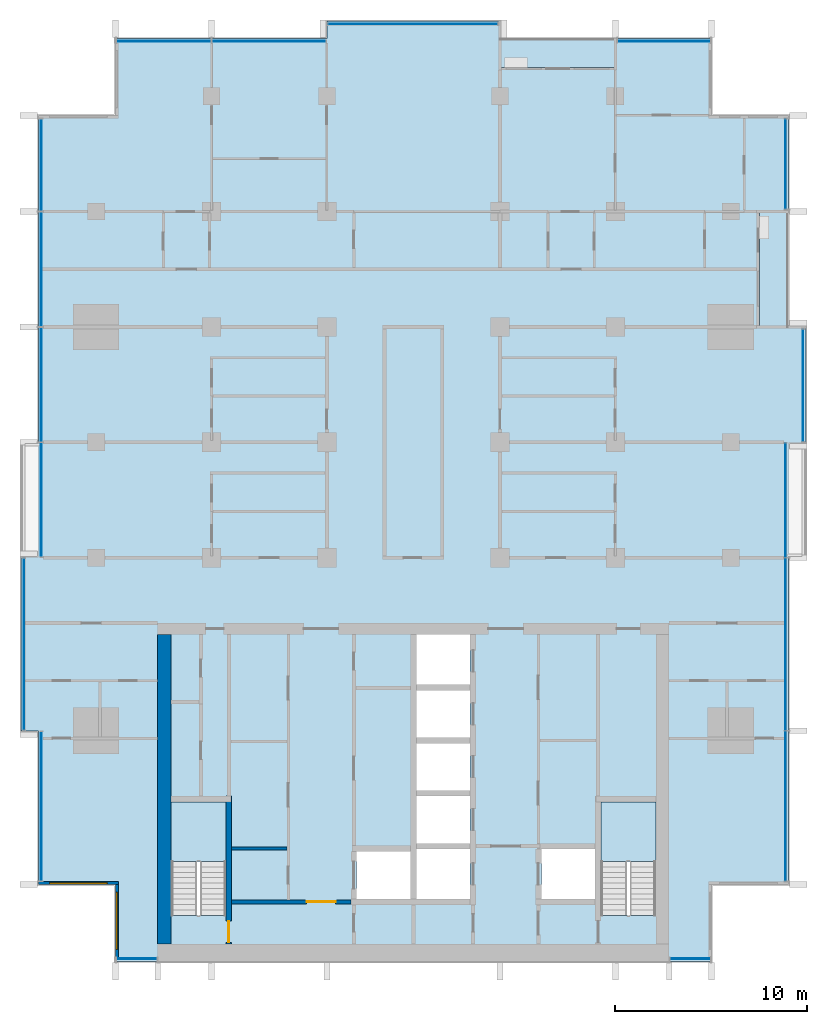
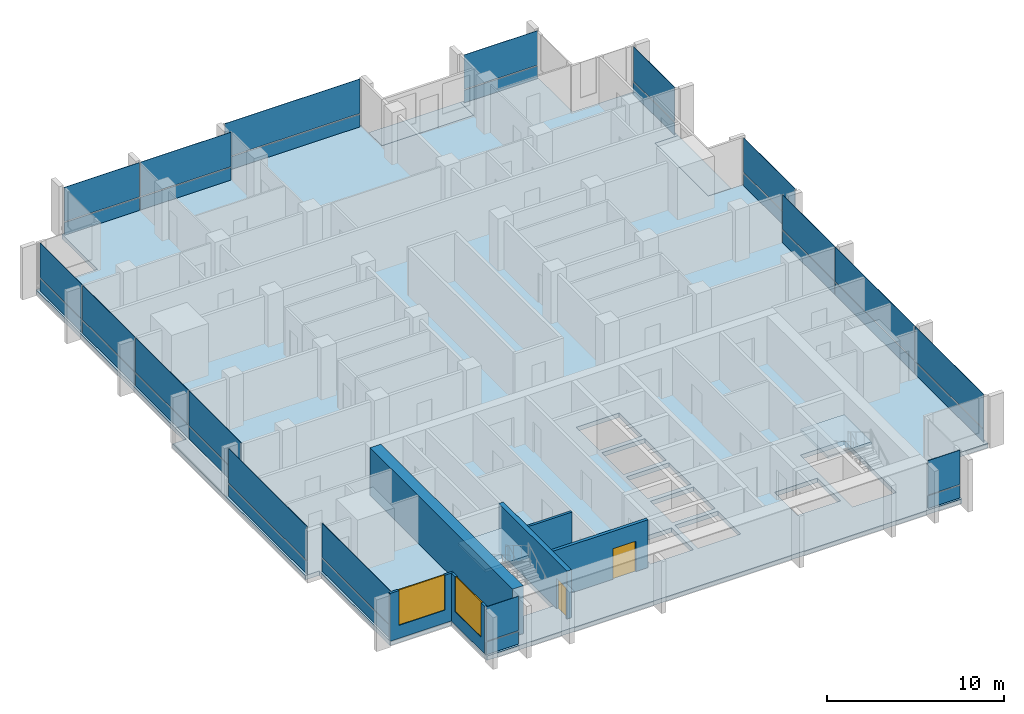
# One storey, part 6 of 16: 34 plates, 6 walls, 5 slabs, 2 doors, 2 windows, 4 openings, 13 elements without a shape of their own.
"""IFC4 building model written with IfcOpenShell, lengths in metres."""

from ifc_helpers import new_model, si_unit, direction, frame, frame_2d, origin, origin_2d, place, context, subcontext, project, spatial, polyline, rectangle, outline, extrude, material, layer, layer_set, type_object, element, fill, aggregate, save


model = new_model("IFC4")

# Units and contexts
model_context = context("Model", 3, precision=1e-05, world=origin(), true_north=direction((0.0, 1.0)))
body_context = subcontext(model_context, "Body", "Model", "MODEL_VIEW")
ifc_project = project(units=[si_unit("LENGTHUNIT", "METRE"), si_unit("AREAUNIT", "SQUARE_METRE"), si_unit("VOLUMEUNIT", "CUBIC_METRE"), si_unit("PLANEANGLEUNIT", "RADIAN"), si_unit("MASSUNIT", "GRAM", prefix="KILO")], contexts=[model_context])

# Site, building, storey
site_placement = place(None, origin())
site = spatial("IfcSite", under=ifc_project, at=site_placement, CompositionType="ELEMENT")
building_placement = place(site_placement, origin())
building = spatial("IfcBuilding", under=site, at=building_placement, Name="Finial Court Residences", CompositionType="ELEMENT")
storey_placement = place(building_placement, frame((0.0, 0.0, 160.10009765625)))
storey = spatial("IfcBuildingStorey", under=building, at=storey_placement, Name="L39", CompositionType="ELEMENT", Elevation=160.10009765625)

# Slabs
ifc_material_1 = material(Name="Concrete C35/45", Category="concrete")
ifc_layer_1 = layer(ifc_material_1, 0.199951171875)
ifc_layer_set_1 = layer_set([ifc_layer_1], Name="Balcony slab, Concrete C35/45 200")
slab_type_1 = type_object("IfcSlabType", Name="Balcony slab, Concrete C35/45 200", PredefinedType="FLOOR", material=ifc_layer_set_1)
slab_1_placement = place(storey_placement, frame((0.0, 0.0, -0.2001953125)))
element("IfcSlab", 1, at=slab_1_placement, inside=storey, type_object=slab_type_1, Name="Balcony L39-N4", PredefinedType="FLOOR", context=body_context, shape_type="SweptSolid", body=[
    extrude(outline(polyline([(10.5, 21.0), (10.5, 22.5), (4.5, 22.5), (4.5, 21.0), (10.5, 21.0)])), origin(), (0.0, 0.0, 1.0), 0.2001953125),
])
slab_2_placement = place(storey_placement, frame((0.0, 0.0, -0.2001953125)))
element("IfcSlab", 2, at=slab_2_placement, inside=storey, type_object=slab_type_1, Name="Balcony L39-E5", PredefinedType="FLOOR", context=body_context, shape_type="SweptSolid", body=[
    extrude(outline(polyline([(19.5, 7.5), (19.5, 13.5), (18.0, 13.5), (18.0, 7.5), (19.5, 7.5)])), origin(), (0.0, 0.0, 1.0), 0.2001953125),
])

# Curtain wall, plates
ifc_material_2 = material(Name="Bronze anodised aluminium", Category="aluminium")
curtain_wall_type = type_object("IfcCurtainWallType", Name="Unitised curtain wall, upper zones", PredefinedType="NOTDEFINED", material=ifc_material_2)
curtain_wall_1_placement = place(storey_placement, origin())
curtain_wall_1 = element("IfcCurtainWall", 3, at=curtain_wall_1_placement, inside=storey, type_object=curtain_wall_type, Name="E-L39-CW-N1", PredefinedType="NOTDEFINED")
ifc_layer_2 = layer(ifc_material_2, 0.035888671875)
ifc_layer_set_2 = layer_set([ifc_layer_2], Name="CW2 spandrel panel 36")
plate_type_1 = type_object("IfcPlateType", Name="CW2 spandrel panel 36", PredefinedType="CURTAIN_PANEL", material=ifc_layer_set_2)
plate_1_placement = place(storey_placement, frame((-12.985107421875, 22.35009765625, -0.000244140625), z_axis=(0.0, 0.0, 1.0), x_axis=(1.0, 0.0, 0.0)))
plate_1 = element("IfcPlate", 4, at=plate_1_placement, type_object=plate_type_1, Name="CW2 spandrel 1.1", PredefinedType="CURTAIN_PANEL", context=body_context, shape_type="SweptSolid", body=[
    extrude(rectangle(XDim=4.909912109375, YDim=0.035888671875, at=origin_2d()), origin(), (0.0, 0.0, 1.0), 0.8701171875),
])
plate_2_placement = place(storey_placement, frame((-7.514892578125, 22.35009765625, -0.000244140625), z_axis=(0.0, 0.0, 1.0), x_axis=(1.0, 0.0, 0.0)))
plate_2 = element("IfcPlate", 5, at=plate_2_placement, type_object=plate_type_1, Name="CW2 spandrel 2.1", PredefinedType="CURTAIN_PANEL", context=body_context, shape_type="SweptSolid", body=[
    extrude(rectangle(XDim=5.909912109375, YDim=0.035888671875, at=origin_2d()), origin(), (0.0, 0.0, 1.0), 0.8701171875),
])

# Curtain wall, plate
curtain_wall_2_placement = place(storey_placement, origin())
curtain_wall_2 = element("IfcCurtainWall", 6, at=curtain_wall_2_placement, inside=storey, type_object=curtain_wall_type, Name="E-L39-CW-N2", PredefinedType="NOTDEFINED")
plate_3_placement = place(storey_placement, frame((-0.03759765625, 23.25, -0.000244140625), z_axis=(0.0, 0.0, 1.0), x_axis=(1.0, 0.0, 0.0)))
plate_3 = element("IfcPlate", 7, at=plate_3_placement, type_object=plate_type_1, Name="CW2 spandrel 1.1", PredefinedType="CURTAIN_PANEL", context=body_context, shape_type="SweptSolid", body=[
    extrude(rectangle(XDim=8.804931640625, YDim=0.035888671875, at=origin_2d()), origin(), (0.0, 0.0, 1.0), 0.8701171875),
])

curtain_wall_3_placement = place(storey_placement, origin())
curtain_wall_3 = element("IfcCurtainWall", 8, at=curtain_wall_3_placement, inside=storey, type_object=curtain_wall_type, Name="E-L39-CW-N3", PredefinedType="NOTDEFINED")
plate_4_placement = place(storey_placement, frame((13.03759765625, 22.35009765625, -0.000244140625), z_axis=(0.0, 0.0, 1.0), x_axis=(1.0, 0.0, 0.0)))
plate_4 = element("IfcPlate", 9, at=plate_4_placement, type_object=plate_type_1, Name="CW2 spandrel 1.1", PredefinedType="CURTAIN_PANEL", context=body_context, shape_type="SweptSolid", body=[
    extrude(rectangle(XDim=4.804931640625, YDim=0.035888671875, at=origin_2d()), origin(), (0.0, 0.0, 1.0), 0.8701171875),
])

# Curtain wall, plates
curtain_wall_4_placement = place(storey_placement, origin())
curtain_wall_4 = element("IfcCurtainWall", 10, at=curtain_wall_4_placement, inside=storey, type_object=curtain_wall_type, Name="E-L39-CW-E4", PredefinedType="NOTDEFINED")
plate_5_placement = place(storey_placement, frame((19.35009765625, -17.409912109375, -0.000244140625), z_axis=(0.0, 0.0, 1.0), x_axis=(0.0, 1.0, 0.0)))
plate_5 = element("IfcPlate", 11, at=plate_5_placement, type_object=plate_type_1, Name="CW2 spandrel 1.1", PredefinedType="CURTAIN_PANEL", context=body_context, shape_type="SweptSolid", body=[
    extrude(rectangle(XDim=7.760009765625, YDim=0.035888671875, at=origin_2d()), origin(), (0.0, 0.0, 1.0), 0.8701171875),
])
plate_6_placement = place(storey_placement, frame((19.35009765625, -9.0, -0.000244140625), z_axis=(0.0, 0.0, 1.0), x_axis=(0.0, 1.0, 0.0)))
plate_6 = element("IfcPlate", 12, at=plate_6_placement, type_object=plate_type_1, Name="CW2 spandrel 2.1", PredefinedType="CURTAIN_PANEL", context=body_context, shape_type="SweptSolid", body=[
    extrude(rectangle(XDim=8.93994140625, YDim=0.035888671875, at=origin_2d()), origin(), (0.0, 0.0, 1.0), 0.8701171875),
])
plate_7_placement = place(storey_placement, frame((19.35009765625, -1.514892578125, -0.000244140625), z_axis=(0.0, 0.0, 1.0), x_axis=(0.0, 1.0, 0.0)))
plate_7 = element("IfcPlate", 13, at=plate_7_placement, type_object=plate_type_1, Name="CW2 spandrel 3.1", PredefinedType="CURTAIN_PANEL", context=body_context, shape_type="SweptSolid", body=[
    extrude(rectangle(XDim=5.909912109375, YDim=0.035888671875, at=origin_2d()), origin(), (0.0, 0.0, 1.0), 0.8701171875),
])

# Curtain wall, plate
curtain_wall_5_placement = place(storey_placement, origin())
curtain_wall_5 = element("IfcCurtainWall", 14, at=curtain_wall_5_placement, inside=storey, type_object=curtain_wall_type, Name="E-L39-CW-E5", PredefinedType="NOTDEFINED")
plate_8_placement = place(storey_placement, frame((20.25, 4.46240234375, -0.000244140625), z_axis=(0.0, 0.0, 1.0), x_axis=(0.0, 1.0, 0.0)))
plate_8 = element("IfcPlate", 15, at=plate_8_placement, type_object=plate_type_1, Name="CW2 spandrel 1.1", PredefinedType="CURTAIN_PANEL", context=body_context, shape_type="SweptSolid", body=[
    extrude(rectangle(XDim=5.804931640625, YDim=0.035888671875, at=origin_2d()), origin(), (0.0, 0.0, 1.0), 0.8701171875),
])

curtain_wall_6_placement = place(storey_placement, origin())
curtain_wall_6 = element("IfcCurtainWall", 16, at=curtain_wall_6_placement, inside=storey, type_object=curtain_wall_type, Name="E-L39-CW-E6", PredefinedType="NOTDEFINED")
plate_9_placement = place(storey_placement, frame((19.35009765625, 15.96240234375, -0.000244140625), z_axis=(0.0, 0.0, 1.0), x_axis=(0.0, 1.0, 0.0)))
plate_9 = element("IfcPlate", 17, at=plate_9_placement, type_object=plate_type_1, Name="CW2 spandrel 1.1", PredefinedType="CURTAIN_PANEL", context=body_context, shape_type="SweptSolid", body=[
    extrude(rectangle(XDim=4.655029296875, YDim=0.035888671875, at=origin_2d()), origin(), (0.0, 0.0, 1.0), 0.8701171875),
])

curtain_wall_7_placement = place(storey_placement, origin())
curtain_wall_7 = element("IfcCurtainWall", 18, at=curtain_wall_7_placement, inside=storey, type_object=curtain_wall_type, Name="E-L39-CW-S7", PredefinedType="NOTDEFINED")
plate_10_placement = place(storey_placement, frame((-14.39990234375, -25.35009765625, -0.000244140625), z_axis=(0.0, 0.0, 1.0), x_axis=(1.0, 0.0, 0.0)))
plate_10 = element("IfcPlate", 19, at=plate_10_placement, type_object=plate_type_1, Name="CW2 spandrel 1.1", PredefinedType="CURTAIN_PANEL", context=body_context, shape_type="SweptSolid", body=[
    extrude(rectangle(XDim=2.080078125, YDim=0.035888671875, at=origin_2d()), origin(), (0.0, 0.0, 1.0), 0.8701171875),
])

curtain_wall_8_placement = place(storey_placement, origin())
curtain_wall_8 = element("IfcCurtainWall", 20, at=curtain_wall_8_placement, inside=storey, type_object=curtain_wall_type, Name="E-L39-CW-S8", PredefinedType="NOTDEFINED")
plate_11_placement = place(storey_placement, frame((14.39990234375, -25.35009765625, -0.000244140625), z_axis=(0.0, 0.0, 1.0), x_axis=(1.0, 0.0, 0.0)))
plate_11 = element("IfcPlate", 21, at=plate_11_placement, type_object=plate_type_1, Name="CW2 spandrel 1.1", PredefinedType="CURTAIN_PANEL", context=body_context, shape_type="SweptSolid", body=[
    extrude(rectangle(XDim=2.080078125, YDim=0.035888671875, at=origin_2d()), origin(), (0.0, 0.0, 1.0), 0.8701171875),
])

curtain_wall_9_placement = place(storey_placement, origin())
curtain_wall_9 = element("IfcCurtainWall", 22, at=curtain_wall_9_placement, inside=storey, type_object=curtain_wall_type, Name="E-L39-CW-W9", PredefinedType="NOTDEFINED")
plate_12_placement = place(storey_placement, frame((-19.35009765625, -17.425048828125, -0.000244140625), z_axis=(0.0, 0.0, 1.0), x_axis=(0.0, 1.0, 0.0)))
plate_12 = element("IfcPlate", 23, at=plate_12_placement, type_object=plate_type_1, Name="CW2 spandrel 1.1", PredefinedType="CURTAIN_PANEL", context=body_context, shape_type="SweptSolid", body=[
    extrude(rectangle(XDim=7.72998046875, YDim=0.035888671875, at=origin_2d()), origin(), (0.0, 0.0, 1.0), 0.8701171875),
])

curtain_wall_10_placement = place(storey_placement, origin())
curtain_wall_10 = element("IfcCurtainWall", 24, at=curtain_wall_10_placement, inside=storey, type_object=curtain_wall_type, Name="E-L39-CW-W10", PredefinedType="NOTDEFINED")
plate_13_placement = place(storey_placement, frame((-20.25, -9.0, -0.000244140625), z_axis=(0.0, 0.0, 1.0), x_axis=(0.0, 1.0, 0.0)))
plate_13 = element("IfcPlate", 25, at=plate_13_placement, type_object=plate_type_1, Name="CW2 spandrel 1.1", PredefinedType="CURTAIN_PANEL", context=body_context, shape_type="SweptSolid", body=[
    extrude(rectangle(XDim=8.8798828125, YDim=0.035888671875, at=origin_2d()), origin(), (0.0, 0.0, 1.0), 0.8701171875),
])

# Curtain wall, plates
curtain_wall_11_placement = place(storey_placement, origin())
curtain_wall_11 = element("IfcCurtainWall", 26, at=curtain_wall_11_placement, inside=storey, type_object=curtain_wall_type, Name="E-L39-CW-W11", PredefinedType="NOTDEFINED")
plate_14_placement = place(storey_placement, frame((-19.35009765625, -1.485107421875, -0.000244140625), z_axis=(0.0, 0.0, 1.0), x_axis=(0.0, 1.0, 0.0)))
plate_14 = element("IfcPlate", 27, at=plate_14_placement, type_object=plate_type_1, Name="CW2 spandrel 1.1", PredefinedType="CURTAIN_PANEL", context=body_context, shape_type="SweptSolid", body=[
    extrude(rectangle(XDim=5.909912109375, YDim=0.035888671875, at=origin_2d()), origin(), (0.0, 0.0, 1.0), 0.8701171875),
])
plate_15_placement = place(storey_placement, frame((-19.35009765625, 4.5, -0.000244140625), z_axis=(0.0, 0.0, 1.0), x_axis=(0.0, 1.0, 0.0)))
plate_15 = element("IfcPlate", 28, at=plate_15_placement, type_object=plate_type_1, Name="CW2 spandrel 2.1", PredefinedType="CURTAIN_PANEL", context=body_context, shape_type="SweptSolid", body=[
    extrude(rectangle(XDim=5.93994140625, YDim=0.035888671875, at=origin_2d()), origin(), (0.0, 0.0, 1.0), 0.8701171875),
])
plate_16_placement = place(storey_placement, frame((-19.35009765625, 10.5, -0.000244140625), z_axis=(0.0, 0.0, 1.0), x_axis=(0.0, 1.0, 0.0)))
plate_16 = element("IfcPlate", 29, at=plate_16_placement, type_object=plate_type_1, Name="CW2 spandrel 3.1", PredefinedType="CURTAIN_PANEL", context=body_context, shape_type="SweptSolid", body=[
    extrude(rectangle(XDim=5.93994140625, YDim=0.035888671875, at=origin_2d()), origin(), (0.0, 0.0, 1.0), 0.8701171875),
])
plate_17_placement = place(storey_placement, frame((-19.35009765625, 15.909912109375, -0.000244140625), z_axis=(0.0, 0.0, 1.0), x_axis=(0.0, 1.0, 0.0)))
plate_17 = element("IfcPlate", 30, at=plate_17_placement, type_object=plate_type_1, Name="CW2 spandrel 4.1", PredefinedType="CURTAIN_PANEL", context=body_context, shape_type="SweptSolid", body=[
    extrude(rectangle(XDim=4.760009765625, YDim=0.035888671875, at=origin_2d()), origin(), (0.0, 0.0, 1.0), 0.8701171875),
])

# Plate
ifc_material_3 = material(Name="Clear low-e glass", Category="glass")
ifc_layer_3 = layer(ifc_material_3, 0.030029296875)
ifc_layer_set_3 = layer_set([ifc_layer_3], Name="CW2 vision glass 30")
plate_type_2 = type_object("IfcPlateType", Name="CW2 vision glass 30", PredefinedType="CURTAIN_PANEL", material=ifc_layer_set_3)
plate_18_placement = place(storey_placement, frame((-12.985107421875, 22.35009765625, 0.929931640625), z_axis=(0.0, 0.0, 1.0), x_axis=(1.0, 0.0, 0.0)))
plate_18 = element("IfcPlate", 31, at=plate_18_placement, type_object=plate_type_2, Name="CW2 glass 1.2", PredefinedType="CURTAIN_PANEL", context=body_context, shape_type="SweptSolid", body=[
    extrude(rectangle(XDim=4.909912109375, YDim=0.030029296875, at=origin_2d()), origin(), (0.0, 0.0, 1.0), 2.3701171875),
])

plate_19_placement = place(storey_placement, frame((-7.514892578125, 22.35009765625, 0.929931640625), z_axis=(0.0, 0.0, 1.0), x_axis=(1.0, 0.0, 0.0)))
plate_19 = element("IfcPlate", 32, at=plate_19_placement, type_object=plate_type_2, Name="CW2 glass 2.2", PredefinedType="CURTAIN_PANEL", context=body_context, shape_type="SweptSolid", body=[
    extrude(rectangle(XDim=5.909912109375, YDim=0.030029296875, at=origin_2d()), origin(), (0.0, 0.0, 1.0), 2.3701171875),
])

aggregate(curtain_wall_1, [plate_1, plate_18, plate_2, plate_19])

plate_20_placement = place(storey_placement, frame((-0.03759765625, 23.25, 0.929931640625), z_axis=(0.0, 0.0, 1.0), x_axis=(1.0, 0.0, 0.0)))
plate_20 = element("IfcPlate", 33, at=plate_20_placement, type_object=plate_type_2, Name="CW2 glass 1.2", PredefinedType="CURTAIN_PANEL", context=body_context, shape_type="SweptSolid", body=[
    extrude(rectangle(XDim=8.804931640625, YDim=0.030029296875, at=origin_2d()), origin(), (0.0, 0.0, 1.0), 2.3701171875),
])

aggregate(curtain_wall_2, [plate_3, plate_20])

plate_21_placement = place(storey_placement, frame((13.03759765625, 22.35009765625, 0.929931640625), z_axis=(0.0, 0.0, 1.0), x_axis=(1.0, 0.0, 0.0)))
plate_21 = element("IfcPlate", 34, at=plate_21_placement, type_object=plate_type_2, Name="CW2 glass 1.2", PredefinedType="CURTAIN_PANEL", context=body_context, shape_type="SweptSolid", body=[
    extrude(rectangle(XDim=4.804931640625, YDim=0.030029296875, at=origin_2d()), origin(), (0.0, 0.0, 1.0), 2.3701171875),
])

aggregate(curtain_wall_3, [plate_4, plate_21])

plate_22_placement = place(storey_placement, frame((19.35009765625, -17.409912109375, 0.929931640625), z_axis=(0.0, 0.0, 1.0), x_axis=(0.0, 1.0, 0.0)))
plate_22 = element("IfcPlate", 35, at=plate_22_placement, type_object=plate_type_2, Name="CW2 glass 1.2", PredefinedType="CURTAIN_PANEL", context=body_context, shape_type="SweptSolid", body=[
    extrude(rectangle(XDim=7.760009765625, YDim=0.030029296875, at=origin_2d()), origin(), (0.0, 0.0, 1.0), 2.3701171875),
])

plate_23_placement = place(storey_placement, frame((19.35009765625, -9.0, 0.929931640625), z_axis=(0.0, 0.0, 1.0), x_axis=(0.0, 1.0, 0.0)))
plate_23 = element("IfcPlate", 36, at=plate_23_placement, type_object=plate_type_2, Name="CW2 glass 2.2", PredefinedType="CURTAIN_PANEL", context=body_context, shape_type="SweptSolid", body=[
    extrude(rectangle(XDim=8.93994140625, YDim=0.030029296875, at=origin_2d()), origin(), (0.0, 0.0, 1.0), 2.3701171875),
])

plate_24_placement = place(storey_placement, frame((19.35009765625, -1.514892578125, 0.929931640625), z_axis=(0.0, 0.0, 1.0), x_axis=(0.0, 1.0, 0.0)))
plate_24 = element("IfcPlate", 37, at=plate_24_placement, type_object=plate_type_2, Name="CW2 glass 3.2", PredefinedType="CURTAIN_PANEL", context=body_context, shape_type="SweptSolid", body=[
    extrude(rectangle(XDim=5.909912109375, YDim=0.030029296875, at=origin_2d()), origin(), (0.0, 0.0, 1.0), 2.3701171875),
])

aggregate(curtain_wall_4, [plate_5, plate_22, plate_6, plate_23, plate_7, plate_24])

plate_25_placement = place(storey_placement, frame((20.25, 4.46240234375, 0.929931640625), z_axis=(0.0, 0.0, 1.0), x_axis=(0.0, 1.0, 0.0)))
plate_25 = element("IfcPlate", 38, at=plate_25_placement, type_object=plate_type_2, Name="CW2 glass 1.2", PredefinedType="CURTAIN_PANEL", context=body_context, shape_type="SweptSolid", body=[
    extrude(rectangle(XDim=5.804931640625, YDim=0.030029296875, at=origin_2d()), origin(), (0.0, 0.0, 1.0), 2.3701171875),
])

aggregate(curtain_wall_5, [plate_8, plate_25])

plate_26_placement = place(storey_placement, frame((19.35009765625, 15.96240234375, 0.929931640625), z_axis=(0.0, 0.0, 1.0), x_axis=(0.0, 1.0, 0.0)))
plate_26 = element("IfcPlate", 39, at=plate_26_placement, type_object=plate_type_2, Name="CW2 glass 1.2", PredefinedType="CURTAIN_PANEL", context=body_context, shape_type="SweptSolid", body=[
    extrude(rectangle(XDim=4.655029296875, YDim=0.030029296875, at=origin_2d()), origin(), (0.0, 0.0, 1.0), 2.3701171875),
])

aggregate(curtain_wall_6, [plate_9, plate_26])

plate_27_placement = place(storey_placement, frame((-14.39990234375, -25.35009765625, 0.929931640625), z_axis=(0.0, 0.0, 1.0), x_axis=(1.0, 0.0, 0.0)))
plate_27 = element("IfcPlate", 40, at=plate_27_placement, type_object=plate_type_2, Name="CW2 glass 1.2", PredefinedType="CURTAIN_PANEL", context=body_context, shape_type="SweptSolid", body=[
    extrude(rectangle(XDim=2.080078125, YDim=0.030029296875, at=origin_2d()), origin(), (0.0, 0.0, 1.0), 2.3701171875),
])

aggregate(curtain_wall_7, [plate_10, plate_27])

plate_28_placement = place(storey_placement, frame((14.39990234375, -25.35009765625, 0.929931640625), z_axis=(0.0, 0.0, 1.0), x_axis=(1.0, 0.0, 0.0)))
plate_28 = element("IfcPlate", 41, at=plate_28_placement, type_object=plate_type_2, Name="CW2 glass 1.2", PredefinedType="CURTAIN_PANEL", context=body_context, shape_type="SweptSolid", body=[
    extrude(rectangle(XDim=2.080078125, YDim=0.030029296875, at=origin_2d()), origin(), (0.0, 0.0, 1.0), 2.3701171875),
])

aggregate(curtain_wall_8, [plate_11, plate_28])

plate_29_placement = place(storey_placement, frame((-19.35009765625, -17.425048828125, 0.929931640625), z_axis=(0.0, 0.0, 1.0), x_axis=(0.0, 1.0, 0.0)))
plate_29 = element("IfcPlate", 42, at=plate_29_placement, type_object=plate_type_2, Name="CW2 glass 1.2", PredefinedType="CURTAIN_PANEL", context=body_context, shape_type="SweptSolid", body=[
    extrude(rectangle(XDim=7.72998046875, YDim=0.030029296875, at=origin_2d()), origin(), (0.0, 0.0, 1.0), 2.3701171875),
])

aggregate(curtain_wall_9, [plate_12, plate_29])

plate_30_placement = place(storey_placement, frame((-20.25, -9.0, 0.929931640625), z_axis=(0.0, 0.0, 1.0), x_axis=(0.0, 1.0, 0.0)))
plate_30 = element("IfcPlate", 43, at=plate_30_placement, type_object=plate_type_2, Name="CW2 glass 1.2", PredefinedType="CURTAIN_PANEL", context=body_context, shape_type="SweptSolid", body=[
    extrude(rectangle(XDim=8.8798828125, YDim=0.030029296875, at=origin_2d()), origin(), (0.0, 0.0, 1.0), 2.3701171875),
])

aggregate(curtain_wall_10, [plate_13, plate_30])

plate_31_placement = place(storey_placement, frame((-19.35009765625, -1.485107421875, 0.929931640625), z_axis=(0.0, 0.0, 1.0), x_axis=(0.0, 1.0, 0.0)))
plate_31 = element("IfcPlate", 44, at=plate_31_placement, type_object=plate_type_2, Name="CW2 glass 1.2", PredefinedType="CURTAIN_PANEL", context=body_context, shape_type="SweptSolid", body=[
    extrude(rectangle(XDim=5.909912109375, YDim=0.030029296875, at=origin_2d()), origin(), (0.0, 0.0, 1.0), 2.3701171875),
])

plate_32_placement = place(storey_placement, frame((-19.35009765625, 4.5, 0.929931640625), z_axis=(0.0, 0.0, 1.0), x_axis=(0.0, 1.0, 0.0)))
plate_32 = element("IfcPlate", 45, at=plate_32_placement, type_object=plate_type_2, Name="CW2 glass 2.2", PredefinedType="CURTAIN_PANEL", context=body_context, shape_type="SweptSolid", body=[
    extrude(rectangle(XDim=5.93994140625, YDim=0.030029296875, at=origin_2d()), origin(), (0.0, 0.0, 1.0), 2.3701171875),
])

plate_33_placement = place(storey_placement, frame((-19.35009765625, 10.5, 0.929931640625), z_axis=(0.0, 0.0, 1.0), x_axis=(0.0, 1.0, 0.0)))
plate_33 = element("IfcPlate", 46, at=plate_33_placement, type_object=plate_type_2, Name="CW2 glass 3.2", PredefinedType="CURTAIN_PANEL", context=body_context, shape_type="SweptSolid", body=[
    extrude(rectangle(XDim=5.93994140625, YDim=0.030029296875, at=origin_2d()), origin(), (0.0, 0.0, 1.0), 2.3701171875),
])

plate_34_placement = place(storey_placement, frame((-19.35009765625, 15.909912109375, 0.929931640625), z_axis=(0.0, 0.0, 1.0), x_axis=(0.0, 1.0, 0.0)))
plate_34 = element("IfcPlate", 47, at=plate_34_placement, type_object=plate_type_2, Name="CW2 glass 4.2", PredefinedType="CURTAIN_PANEL", context=body_context, shape_type="SweptSolid", body=[
    extrude(rectangle(XDim=4.760009765625, YDim=0.030029296875, at=origin_2d()), origin(), (0.0, 0.0, 1.0), 2.3701171875),
])

aggregate(curtain_wall_11, [plate_14, plate_31, plate_15, plate_32, plate_16, plate_33, plate_17, plate_34])

# Stair, slab
ifc_material_4 = material(Name="Concrete C50/60", Category="concrete")
stair_type = type_object("IfcStairType", Name="Exit stair 22 risers of 163.6 mm", PredefinedType="HALF_TURN_STAIR", material=ifc_material_4)
stair_1_placement = place(storey_placement, origin())
stair_1 = element("IfcStair", 48, at=stair_1_placement, inside=storey, type_object=stair_type, Name="L39 Exit stair ST-1", PredefinedType="HALF_TURN_STAIR")
ifc_layer_4 = layer(ifc_material_4, 0.199951171875)
ifc_layer_set_4 = layer_set([ifc_layer_4], Name="Exit stair landing")
slab_type_2 = type_object("IfcSlabType", Name="Exit stair landing", PredefinedType="LANDING", material=ifc_layer_set_4)
slab_3_placement = place(storey_placement, frame((0.0, 0.0, 1.599853515625)))
slab_3 = element("IfcSlab", 49, at=slab_3_placement, type_object=slab_type_2, Name="ST-1 landing 1", PredefinedType="LANDING", context=body_context, shape_type="SweptSolid", body=[
    extrude(outline(polyline([(-9.75, -20.300048828125), (-9.75, -17.199951171875), (-12.60009765625, -17.199951171875), (-12.60009765625, -20.300048828125), (-9.75, -20.300048828125)])), origin(), (0.0, 0.0, 1.0), 0.199951171875),
])
aggregate(stair_1, [slab_3])

stair_2_placement = place(storey_placement, origin())
stair_2 = element("IfcStair", 50, at=stair_2_placement, inside=storey, type_object=stair_type, Name="L39 Exit stair ST-2", PredefinedType="HALF_TURN_STAIR")
slab_4_placement = place(storey_placement, frame((0.0, 0.0, 1.599853515625)))
slab_4 = element("IfcSlab", 51, at=slab_4_placement, type_object=slab_type_2, Name="ST-2 landing 1", PredefinedType="LANDING", context=body_context, shape_type="SweptSolid", body=[
    extrude(outline(polyline([(12.60009765625, -20.300048828125), (12.60009765625, -17.199951171875), (9.75, -17.199951171875), (9.75, -20.300048828125), (12.60009765625, -20.300048828125)])), origin(), (0.0, 0.0, 1.0), 0.199951171875),
])
aggregate(stair_2, [slab_4])

# Slab
ifc_material_5 = material(Name="Concrete C40/50", Category="concrete")
ifc_layer_5 = layer(ifc_material_5, 0.300048828125)
ifc_layer_set_5 = layer_set([ifc_layer_5], Name="Flat plate slab 300 Concrete C40/50")
slab_type_3 = type_object("IfcSlabType", Name="Flat plate slab 300 Concrete C40/50", PredefinedType="FLOOR", material=ifc_layer_set_5)
slab_5_placement = place(storey_placement, frame((0.0, 0.0, -0.300048828125)))
element("IfcSlab", 52, at=slab_5_placement, inside=storey, type_object=slab_type_3, Name="S:SLAB:L39", PredefinedType="FLOOR", context=body_context, shape_type="SweptSolid", body=[
    extrude(outline(polyline([(-20.39990234375, 1.5), (-19.5, 1.5), (-19.5, 18.5), (-15.5, 18.5), (-15.5, 22.5), (-4.5, 22.5), (-4.5, 23.39990234375), (4.5, 23.39990234375), (4.5, 22.5), (4.5, 21.0), (10.5, 21.0), (10.5, 22.5), (15.5, 22.5), (15.5, 18.5), (19.5, 18.5), (19.5, 13.5), (18.0, 13.5), (18.0, 7.5), (19.5, 7.5), (20.39990234375, 7.5), (20.39990234375, 1.5), (20.39990234375, -4.5), (19.5, -4.5), (19.5, -21.5), (15.5, -21.5), (15.5, -25.5), (-15.5, -25.5), (-15.5, -21.5), (-19.5, -21.5), (-19.5, -13.5), (-20.39990234375, -13.5), (-20.39990234375, -4.5), (-20.39990234375, 1.5)]), holes=[polyline([(-0.14990234375, -19.77001953125), (-2.949951171875, -19.77001953125), (-2.949951171875, -22.25), (-0.14990234375, -22.25), (-0.14990234375, -19.77001953125)]), polyline([(2.949951171875, -19.64990234375), (0.14990234375, -19.64990234375), (0.14990234375, -22.25), (2.949951171875, -22.25), (2.949951171875, -19.64990234375)]), polyline([(9.449951171875, -19.64990234375), (6.64990234375, -19.64990234375), (6.64990234375, -22.25), (9.449951171875, -22.25), (9.449951171875, -19.64990234375)]), polyline([(-12.60009765625, -17.199951171875), (-12.60009765625, -23.09912109375), (-9.75, -23.09912109375), (-9.75, -17.199951171875), (-12.60009765625, -17.199951171875)]), polyline([(9.75, -17.199951171875), (9.75, -23.09912109375), (12.60009765625, -23.09912109375), (12.60009765625, -17.199951171875), (9.75, -17.199951171875)]), polyline([(2.949951171875, -16.89990234375), (0.14990234375, -16.89990234375), (0.14990234375, -19.35009765625), (2.949951171875, -19.35009765625), (2.949951171875, -16.89990234375)]), polyline([(2.949951171875, -14.14990234375), (0.14990234375, -14.14990234375), (0.14990234375, -16.60009765625), (2.949951171875, -16.60009765625), (2.949951171875, -14.14990234375)]), polyline([(2.949951171875, -13.85009765625), (2.949951171875, -11.39990234375), (0.14990234375, -11.39990234375), (0.14990234375, -13.85009765625), (2.949951171875, -13.85009765625)]), polyline([(2.949951171875, -11.10009765625), (2.949951171875, -8.5), (0.14990234375, -8.5), (0.14990234375, -11.10009765625), (2.949951171875, -11.10009765625)])]), origin(), (0.0, 0.0, 1.0), 0.300048828125),
])

# Walls
ifc_material_6 = material(Name="Concrete C70/85", Category="concrete")
ifc_layer_6 = layer(ifc_material_6, 0.699951171875)
ifc_layer_set_6 = layer_set([ifc_layer_6], Name="Core outer wall 700 Concrete C70/85")
wall_type_1 = type_object("IfcWallType", Name="Core outer wall 700 Concrete C70/85", PredefinedType="SHEAR", material=ifc_layer_set_6)
wall_1_placement = place(storey_placement, frame((-12.949951171875, -24.60009765625, 0.0), z_axis=(0.0, 0.0, 1.0), x_axis=(0.0, 1.0, 0.0)))
element("IfcWall", 53, at=wall_1_placement, inside=storey, type_object=wall_type_1, Name="Core outer wall L39-03", PredefinedType="SHEAR", context=body_context, shape_type="SweptSolid", body=[
    extrude(rectangle(XDim=16.10009765625, YDim=0.699951171875, at=frame_2d((8.050048828125, 0.0))), origin(), (0.0, 0.0, 1.0), 3.2998046875),
])
ifc_material_7 = material(Name="Fire-rated gypsum board partition")
ifc_layer_7 = layer(ifc_material_7, 0.14990234375)
ifc_layer_set_7 = layer_set([ifc_layer_7], Name="Core room partition 150 EI 60")
wall_type_2 = type_object("IfcWallType", Name="Core room partition 150 EI 60", PredefinedType="PARTITIONING", material=ifc_layer_set_7)
wall_2_placement = place(storey_placement, frame((-9.449951171875, -19.6201171875, 0.0), z_axis=(0.0, 0.0, 1.0), x_axis=(1.0, 0.0, 0.0)))
element("IfcWall", 54, at=wall_2_placement, inside=storey, type_object=wall_type_2, Name="Core partition L39-04", PredefinedType="PARTITIONING", context=body_context, shape_type="SweptSolid", body=[
    extrude(rectangle(XDim=2.875, YDim=0.14990234375, at=frame_2d((1.4375, 0.0))), origin(), (0.0, 0.0, 1.0), 3.2998046875),
])

# Wall, opening, door
ifc_layer_8 = layer(ifc_material_6, 0.300048828125)
ifc_layer_set_8 = layer_set([ifc_layer_8], Name="Lift shaft and stair wall 300 Concrete C70/85")
wall_type_3 = type_object("IfcWallType", Name="Lift shaft and stair wall 300 Concrete C70/85", PredefinedType="SHEAR", material=ifc_layer_set_8)
wall_3_placement = place(storey_placement, frame((-9.60009765625, -24.60009765625, 0.0), z_axis=(0.0, 0.0, 1.0), x_axis=(0.0, 1.0, 0.0)))
wall_3 = element("IfcWall", 55, at=wall_3_placement, inside=storey, type_object=wall_type_3, Name="Core wall L39-20", PredefinedType="SHEAR", context=body_context, shape_type="SweptSolid", body=[
    extrude(rectangle(XDim=7.7001953125, YDim=0.300048828125, at=frame_2d((3.85009765625, 0.0))), origin(), (0.0, 0.0, 1.0), 3.2998046875),
])
opening_1_placement = place(wall_3_placement, frame((0.10009765625, 0.0, 0.0)))
opening_1 = element("IfcOpeningElement", 56, at=opening_1_placement, cuts=wall_3, Name="Opening L39-C19", PredefinedType="OPENING", context=body_context, shape_type="SweptSolid", body=[
    extrude(rectangle(XDim=1.10009765625, YDim=2.10009765625, at=frame_2d((0.550048828125, 1.050048828125))), frame((0.0, 0.159912109375, 0.0), z_axis=(0.0, -1.0, 0.0), x_axis=(1.0, 0.0, 0.0)), (0.0, 0.0, 1.0), 0.320068359375),
])
ifc_material_8 = material(Name="Steel fire door", Category="steel")
door_type_1 = type_object("IfcDoorType", Name="Stair door 1100 x 2100 EI 90", OperationType="NOTDEFINED", PredefinedType="DOOR", material=ifc_material_8)
door_1_placement = place(opening_1_placement, origin())
door_1 = element("IfcDoor", 57, at=door_1_placement, inside=storey, type_object=door_type_1, Name="Stair door L39-C19", OperationType="SINGLE_SWING_LEFT", OverallHeight=2.10009765625, OverallWidth=1.10009765625, PredefinedType="DOOR", context=body_context, shape_type="SweptSolid", body=[
    extrude(rectangle(XDim=1.10009765625, YDim=2.10009765625, at=frame_2d((0.550048828125, 1.050048828125))), frame((0.0, 0.02490234375, 0.0), z_axis=(0.0, -1.0, 0.0), x_axis=(1.0, 0.0, 0.0)), (0.0, 0.0, 1.0), 0.050048828125),
])
fill(opening_1, door_1)

# Wall, opening, window
ifc_material_9 = material(Name="Natural limestone", Category="masonry")
ifc_layer_9 = layer(ifc_material_9, 0.14990234375)
ifc_layer_set_9 = layer_set([ifc_layer_9], Name="Limestone clad wall 150")
wall_type_4 = type_object("IfcWallType", Name="Limestone clad wall 150", PredefinedType="SOLIDWALL", material=ifc_layer_set_9)
wall_4_placement = place(storey_placement, frame((-15.425048828125, -25.262451171875, 0.0), z_axis=(0.0, 0.0, 1.0), x_axis=(0.0, 1.0, 0.0)))
wall_4 = element("IfcWall", 58, at=wall_4_placement, inside=storey, type_object=wall_type_4, Name="E-L39-NWW12", PredefinedType="SOLIDWALL", context=body_context, shape_type="SweptSolid", body=[
    extrude(rectangle(XDim=3.762451171875, YDim=0.14990234375, at=frame_2d((1.88134765625, 0.0))), origin(), (0.0, 0.0, 1.0), 3.2998046875),
])
opening_2_placement = place(wall_4_placement, frame((0.401123046875, 0.0, 0.89990234375)))
opening_2 = element("IfcOpeningElement", 59, at=opening_2_placement, cuts=wall_4, Name="Opening WE39-01", PredefinedType="OPENING", context=body_context, shape_type="SweptSolid", body=[
    extrude(rectangle(XDim=2.9599609375, YDim=2.39990234375, at=frame_2d((1.47998046875, 1.199951171875))), frame((0.0, 0.0849609375, 0.0), z_axis=(0.0, -1.0, 0.0), x_axis=(1.0, 0.0, 0.0)), (0.0, 0.0, 1.0), 0.169921875),
])
window_type_1 = type_object("IfcWindowType", Name="Corner window 2960 x 2400", PartitioningType="SINGLE_PANEL", PredefinedType="WINDOW", material=ifc_material_3)
window_1_placement = place(opening_2_placement, origin())
window_1 = element("IfcWindow", 60, at=window_1_placement, inside=storey, type_object=window_type_1, Name="E-L39-NWW12-W1", OverallHeight=2.39990234375, OverallWidth=2.9599609375, PartitioningType="SINGLE_PANEL", PredefinedType="WINDOW", context=body_context, shape_type="SweptSolid", body=[
    extrude(rectangle(XDim=2.9599609375, YDim=2.39990234375, at=frame_2d((1.47998046875, 1.199951171875))), frame((0.0, 0.030029296875, 0.0), z_axis=(0.0, -1.0, 0.0), x_axis=(1.0, 0.0, 0.0)), (0.0, 0.0, 1.0), 0.06005859375),
])
fill(opening_2, window_1)

wall_5_placement = place(storey_placement, frame((-15.35009765625, -21.425048828125, 0.0), z_axis=(0.0, 0.0, 1.0), x_axis=(-1.0, 0.0, 0.0)))
wall_5 = element("IfcWall", 61, at=wall_5_placement, inside=storey, type_object=wall_type_4, Name="E-L39-NWS13", PredefinedType="SOLIDWALL", context=body_context, shape_type="SweptSolid", body=[
    extrude(rectangle(XDim=4.14990234375, YDim=0.14990234375, at=frame_2d((2.074951171875, 0.0))), origin(), (0.0, 0.0, 1.0), 3.2998046875),
])
opening_3_placement = place(wall_5_placement, frame((0.574951171875, 0.0, 0.89990234375)))
opening_3 = element("IfcOpeningElement", 62, at=opening_3_placement, cuts=wall_5, Name="Opening WE39-02", PredefinedType="OPENING", context=body_context, shape_type="SweptSolid", body=[
    extrude(rectangle(XDim=3.0, YDim=2.39990234375, at=frame_2d((1.5, 1.199951171875))), frame((0.0, 0.0849609375, 0.0), z_axis=(0.0, -1.0, 0.0), x_axis=(1.0, 0.0, 0.0)), (0.0, 0.0, 1.0), 0.169921875),
])
window_type_2 = type_object("IfcWindowType", Name="Corner window 3000 x 2400", PartitioningType="SINGLE_PANEL", PredefinedType="WINDOW", material=ifc_material_3)
window_2_placement = place(opening_3_placement, origin())
window_2 = element("IfcWindow", 63, at=window_2_placement, inside=storey, type_object=window_type_2, Name="E-L39-NWS13-W1", OverallHeight=2.39990234375, OverallWidth=3.0, PartitioningType="SINGLE_PANEL", PredefinedType="WINDOW", context=body_context, shape_type="SweptSolid", body=[
    extrude(rectangle(XDim=3.0, YDim=2.39990234375, at=frame_2d((1.5, 1.199951171875))), frame((0.0, 0.030029296875, 0.0), z_axis=(0.0, -1.0, 0.0), x_axis=(1.0, 0.0, 0.0)), (0.0, 0.0, 1.0), 0.06005859375),
])
fill(opening_3, window_2)

# Wall, opening, door
ifc_layer_10 = layer(ifc_material_7, 0.199951171875)
ifc_layer_set_10 = layer_set([ifc_layer_10], Name="Stair passage wall 200 EI 180")
wall_type_5 = type_object("IfcWallType", Name="Stair passage wall 200 EI 180", PredefinedType="PARTITIONING", material=ifc_layer_set_10)
wall_6_placement = place(storey_placement, frame((-3.25, -22.39990234375, 0.0), z_axis=(0.0, 0.0, 1.0), x_axis=(-1.0, 0.0, 0.0)))
wall_6 = element("IfcWall", 64, at=wall_6_placement, inside=storey, type_object=wall_type_5, Name="Core partition L39-01", PredefinedType="PARTITIONING", context=body_context, shape_type="SweptSolid", body=[
    extrude(rectangle(XDim=6.199951171875, YDim=0.199951171875, at=frame_2d((3.10009765625, 0.0))), origin(), (0.0, 0.0, 1.0), 3.2998046875),
])
opening_4_placement = place(wall_6_placement, frame((0.800048828125, 0.0, 0.0)))
opening_4 = element("IfcOpeningElement", 65, at=opening_4_placement, cuts=wall_6, Name="Opening L39-C03", PredefinedType="OPENING", context=body_context, shape_type="SweptSolid", body=[
    extrude(rectangle(XDim=1.5, YDim=2.10009765625, at=frame_2d((0.75, 1.050048828125))), frame((0.0, 0.10986328125, 0.0), z_axis=(0.0, -1.0, 0.0), x_axis=(1.0, 0.0, 0.0)), (0.0, 0.0, 1.0), 0.219970703125),
])
door_type_2 = type_object("IfcDoorType", Name="Lift lobby door 1500 x 2100 EI 60", OperationType="DOUBLE_DOOR_SINGLE_SWING", PredefinedType="DOOR", material=ifc_material_8)
door_2_placement = place(opening_4_placement, origin())
door_2 = element("IfcDoor", 66, at=door_2_placement, inside=storey, type_object=door_type_2, Name="Lift lobby door L39-C03", OperationType="DOUBLE_DOOR_SINGLE_SWING", OverallHeight=2.10009765625, OverallWidth=1.5, PredefinedType="DOOR", context=body_context, shape_type="SweptSolid", body=[
    extrude(rectangle(XDim=1.5, YDim=2.10009765625, at=frame_2d((0.75, 1.050048828125))), frame((0.0, 0.02490234375, 0.0), z_axis=(0.0, -1.0, 0.0), x_axis=(1.0, 0.0, 0.0)), (0.0, 0.0, 1.0), 0.050048828125),
])
fill(opening_4, door_2)

save(model, "model.ifc")
